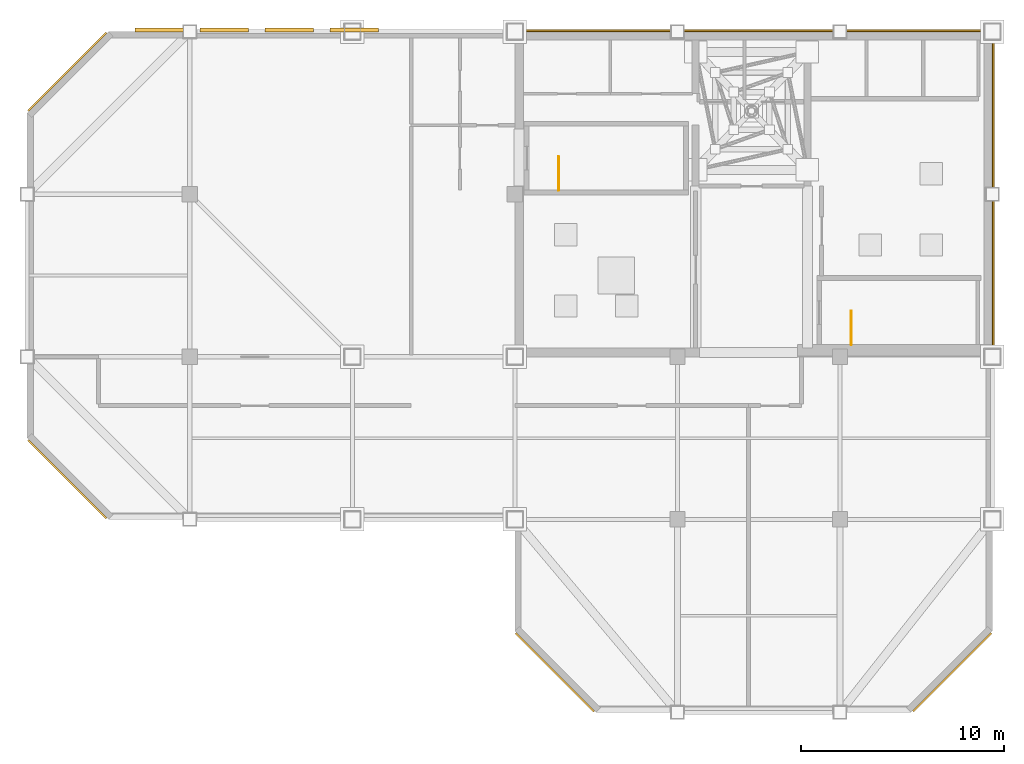
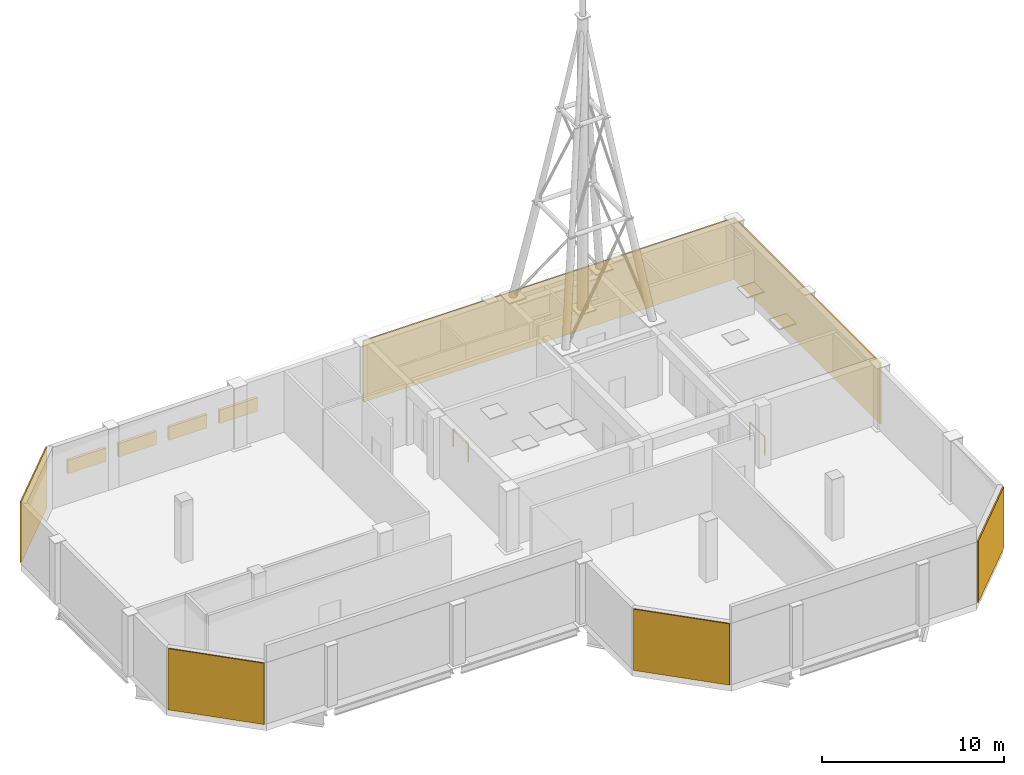
# One storey, part 7 of 7: 6 coverings, 4 shading devices, 2 railings.
"""IFC4 building model written with IfcOpenShell, lengths in metres."""

from ifc_helpers import new_model, si_unit, direction, frame, origin, origin_2d, place, context, subcontext, project, spatial, rectangle, circle, extrude, material, layer, layer_set, type_object, element, save


model = new_model("IFC4")

# Units and contexts
model_context = context("Model", 3, precision=1e-05, world=origin(), true_north=direction((0.0, 1.0)))
body_context = subcontext(model_context, "Body", "Model", "MODEL_VIEW")
ifc_project = project(units=[si_unit("LENGTHUNIT", "METRE"), si_unit("AREAUNIT", "SQUARE_METRE"), si_unit("VOLUMEUNIT", "CUBIC_METRE"), si_unit("PLANEANGLEUNIT", "RADIAN"), si_unit("MASSUNIT", "GRAM", prefix="KILO")], contexts=[model_context])

# Site, building, storey
site_placement = place(None, origin())
site = spatial("IfcSite", under=ifc_project, at=site_placement, CompositionType="ELEMENT")
building_placement = place(site_placement, origin())
building = spatial("IfcBuilding", under=site, at=building_placement, Name="Qianrong Seaharbour Tower", CompositionType="ELEMENT")
storey_placement = place(building_placement, frame((0.0, 0.0, 383.800048828125)))
storey = spatial("IfcBuildingStorey", under=building, at=storey_placement, Name="L92", CompositionType="ELEMENT", Elevation=383.800048828125)

# Coverings
ifc_material_1 = material(Name="Unitised red brick cladding on Precast concrete C45/55", Category="masonry")
ifc_layer_1 = layer(ifc_material_1, 0.080078125)
ifc_layer_set_1 = layer_set([ifc_layer_1], Name="Unitised red brick cladding on Precast concrete C45/55")
covering_type_1 = type_object("IfcCoveringType", Name="COV-CLAD-RED-BRICK-80", PredefinedType="CLADDING", material=ifc_layer_set_1)
for number, where, z_axis, x_axis, name in (
    (1, (18.4716796875, 29.9716796875, 0.0), (0.0, 0.0, 1.0), (-0.707106781187, 0.707106781187, 0.0), "L92 Chamfer Corner Brick Cladding 02"),
    (2, (18.4716796875, 50.0283203125, 0.0), (0.0, 0.0, 1.0), (0.707106781187, 0.707106781187, 0.0), "L92 Chamfer Corner Brick Cladding 04"),
    (3, (62.0283203125, 20.4716796875, 0.0), (0.0, 0.0, 1.0), (-0.707106781187, -0.707106781187, 0.0), "L92 Chamfer Corner Brick Cladding 07"),
    (4, (42.4716796875, 20.4716796875, 0.0), (0.0, 0.0, 1.0), (-0.707106781187, 0.707106781187, 0.0), "L92 Chamfer Corner Brick Cladding 09"),
):
    element("IfcCovering", number, at=place(storey_placement, frame(where, z_axis=z_axis, x_axis=x_axis)), inside=storey, type_object=covering_type_1, Name=name, PredefinedType="CLADDING", context=body_context, shape_type="SweptSolid", body=[
        extrude(rectangle(XDim=5.456787109375, YDim=0.080078125, at=origin_2d()), origin(), (0.0, 0.0, 1.0), 4.10009765625),
    ])
ifc_material_2 = material(Name="White architectural precast concrete C45/55", Category="concrete")
ifc_layer_2 = layer(ifc_material_2, 0.090087890625)
ifc_layer_set_2 = layer_set([ifc_layer_2], Name="White architectural precast concrete C45/55")
covering_type_2 = type_object("IfcCoveringType", Name="COV-CLAD-WHITE-RIBBON-90", PredefinedType="CLADDING", material=ifc_layer_set_2)
covering_1_placement = place(storey_placement, frame((52.294921875, 52.044921875, 0.0), z_axis=(0.0, 0.0, 1.0), x_axis=(1.0, 0.0, 0.0)))
element("IfcCovering", 5, at=covering_1_placement, inside=storey, type_object=covering_type_2, Name="L92 North Core Brick Veneer Cladding", PredefinedType="CLADDING", context=body_context, shape_type="SweptSolid", body=[
    extrude(rectangle(XDim=23.590087890625, YDim=0.090087890625, at=origin_2d()), origin(), (0.0, 0.0, 1.0), 4.10009765625),
])
covering_2_placement = place(storey_placement, frame((64.044921875, 44.0, 0.0), z_axis=(0.0, 0.0, 1.0), x_axis=(1.0, 0.0, 0.0)))
element("IfcCovering", 6, at=covering_2_placement, inside=storey, type_object=covering_type_2, Name="L92 East Core Brick Veneer Cladding", PredefinedType="CLADDING", context=body_context, shape_type="SweptSolid", body=[
    extrude(rectangle(XDim=0.090087890625, YDim=16.0, at=origin_2d()), origin(), (0.0, 0.0, 1.0), 4.10009765625),
])

# Railings
ifc_material_3 = material(Name="Galvanized painted steel SN400B stair guard", Category="steel")
railing_type = type_object("IfcRailingType", Name="RAIL-STAIR-GUARD-1220", PredefinedType="GUARDRAIL", material=ifc_material_3)
railing_1_placement = place(storey_placement, frame((42.64990234375, 44.199951171875, 0.0)))
element("IfcRailing", 7, at=railing_1_placement, inside=storey, type_object=railing_type, Name="L92 ST-1 top well guard 1", PredefinedType="GUARDRAIL", context=body_context, shape_type="SweptSolid", body=[
    extrude(circle(Radius=0.02392578125, at=origin_2d()), frame((0.0, 0.0, 1.19580078125), z_axis=(0.0, 1.0, 0.0), x_axis=(-1.0, 0.0, 0.0)), (0.0, 0.0, 1.0), 1.650146484375),
    extrude(circle(Radius=0.02099609375, at=origin_2d()), origin(), (0.0, 0.0, 1.0), 1.171875),
    extrude(circle(Radius=0.02099609375, at=origin_2d()), frame((0.0, 1.650146484375, 0.0)), (0.0, 0.0, 1.0), 1.171875),
])
railing_2_placement = place(storey_placement, frame((57.050048828125, 36.60009765625, 0.0)))
element("IfcRailing", 8, at=railing_2_placement, inside=storey, type_object=railing_type, Name="L92 ST-2 top well guard 1", PredefinedType="GUARDRAIL", context=body_context, shape_type="SweptSolid", body=[
    extrude(circle(Radius=0.02392578125, at=origin_2d()), frame((0.0, 0.0, 1.19580078125), z_axis=(0.0, 1.0, 0.0), x_axis=(-1.0, 0.0, 0.0)), (0.0, 0.0, 1.0), 1.64990234375),
    extrude(circle(Radius=0.02099609375, at=origin_2d()), origin(), (0.0, 0.0, 1.0), 1.171875),
    extrude(circle(Radius=0.02099609375, at=origin_2d()), frame((0.0, 1.64990234375, 0.0)), (0.0, 0.0, 1.0), 1.171875),
])

# Shading devices
ifc_material_4 = material(Name="Anodised aluminium storm-proof louvre assembly", Category="aluminium")
shading_device_type = type_object("IfcShadingDeviceType", Name="SHD-LOUVRE-JALOUSIE-180", PredefinedType="JALOUSIE", material=ifc_material_4)
for number, where, z_axis, x_axis, name in (
    (9, (23.0, 52.0849609375, 1.75), (0.0, 0.0, 1.0), (1.0, 0.0, 0.0), "L92 Acoustic Storm Louvre Panel 1"),
    (10, (26.199951171875, 52.0849609375, 1.75), (0.0, 0.0, 1.0), (1.0, 0.0, 0.0), "L92 Acoustic Storm Louvre Panel 2"),
    (11, (29.39990234375, 52.0849609375, 1.75), (0.0, 0.0, 1.0), (1.0, 0.0, 0.0), "L92 Acoustic Storm Louvre Panel 3"),
    (12, (32.60009765625, 52.0849609375, 1.75), (0.0, 0.0, 1.0), (1.0, 0.0, 0.0), "L92 Acoustic Storm Louvre Panel 4"),
):
    element("IfcShadingDevice", number, at=place(storey_placement, frame(where, z_axis=z_axis, x_axis=x_axis)), inside=storey, type_object=shading_device_type, Name=name, PredefinedType="JALOUSIE", context=body_context, shape_type="SweptSolid", body=[
        extrude(rectangle(XDim=2.39990234375, YDim=0.179931640625, at=origin_2d()), origin(), (0.0, 0.0, 1.0), 0.89990234375),
    ])

save(model, "model.ifc")
